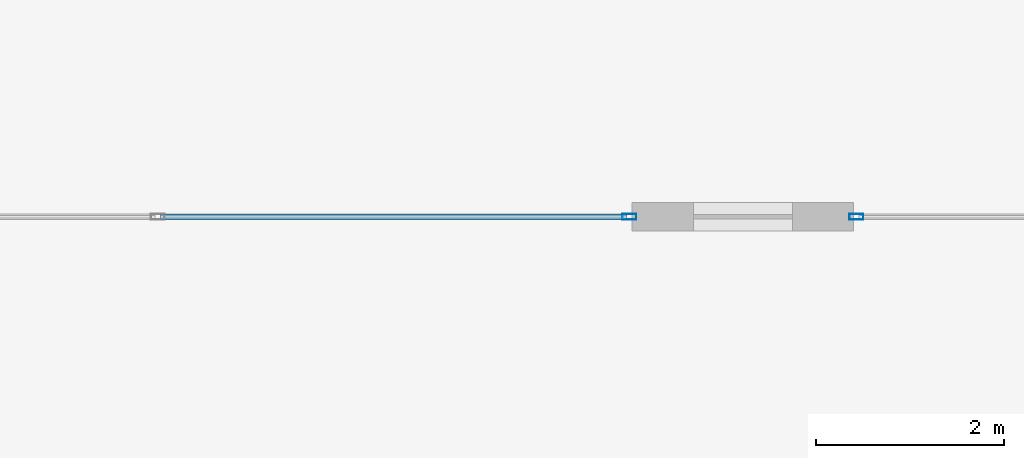
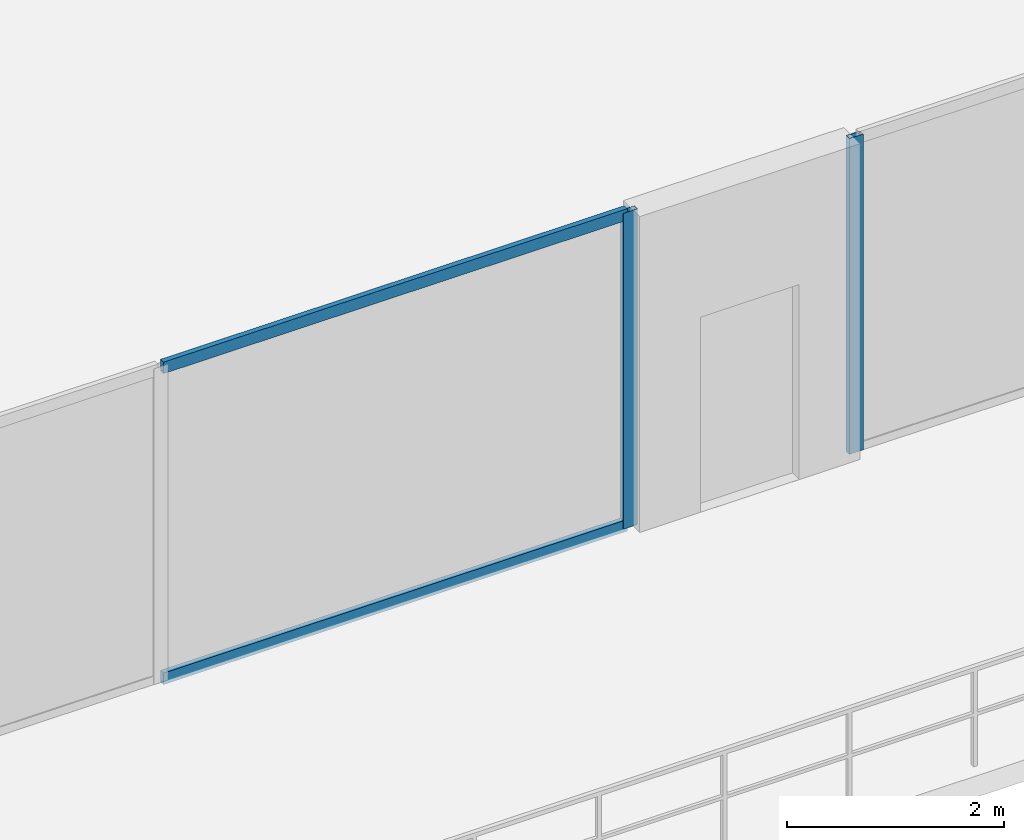
# One storey, part 3 of 19: 4 members, 2 elements without a shape of their own.
"""IFC4 building model written with IfcOpenShell, lengths in metres."""

from ifc_helpers import new_model, si_unit, direction, frame, origin, origin_2d, place, context, subcontext, project, spatial, hollow_rectangle, extrude, material, layer, layer_set, material_profile, profile_set, type_object, element, aggregate, save


model = new_model("IFC4")

# Units and contexts
model_context = context("Model", 3, precision=1e-05, world=origin(), true_north=direction((0.0, 1.0)))
body_context = subcontext(model_context, "Body", "Model", "MODEL_VIEW")
ifc_project = project(units=[si_unit("LENGTHUNIT", "METRE"), si_unit("AREAUNIT", "SQUARE_METRE"), si_unit("VOLUMEUNIT", "CUBIC_METRE"), si_unit("PLANEANGLEUNIT", "RADIAN"), si_unit("MASSUNIT", "GRAM", prefix="KILO")], contexts=[model_context])

# Site, building, storey
site_placement = place(None, origin())
site = spatial("IfcSite", under=ifc_project, at=site_placement, CompositionType="ELEMENT")
building_placement = place(site_placement, origin())
building = spatial("IfcBuilding", under=site, at=building_placement, Name="Zuhayl Quay Hotel", CompositionType="ELEMENT")
storey_placement = place(building_placement, frame((0.0, 0.0, 304.85009765625)))
storey = spatial("IfcBuildingStorey", under=building, at=storey_placement, Name="Crown 3", CompositionType="ELEMENT", Elevation=304.85009765625)

# Curtain wall, member
ifc_material_1 = material(Name="Anodised Aluminium 6063-T6", Category="aluminium")
ifc_layer = layer(ifc_material_1, 0.159912109375, Name="Anodised Aluminium 6063-T6", Category="aluminium")
ifc_layer_set = layer_set([ifc_layer], Name="Anodised Aluminium 6063-T6")
curtain_wall_type = type_object("IfcCurtainWallType", Name="CW_SYS_CRN", PredefinedType="USERDEFINED", material=ifc_layer_set)
curtain_wall_1_placement = place(storey_placement, origin())
curtain_wall_1 = element("IfcCurtainWall", 1, at=curtain_wall_1_placement, inside=storey, type_object=curtain_wall_type, Name="Crown 3 Curtain Wall ENV_CR3_E7_CW1", ObjectType="UNITISED CURTAIN WALL", PredefinedType="USERDEFINED")
ifc_material_2 = material(Name="Black-anodised aluminium 6063-T6", Category="aluminium")
ifc_material_profile_1 = material_profile(ifc_material_2, hollow_rectangle(XDim=0.06005859375, YDim=0.14990234375, WallThickness=0.00341796875, at=origin_2d()), Name="ALU150X60")
ifc_profile_set_1 = profile_set([ifc_material_profile_1], Name="Black-anodised aluminium 6063-T6")
member_type_1 = type_object("IfcMemberType", Name="MB_CW_MUL_150", PredefinedType="MULLION", material=ifc_profile_set_1)
member_1_placement = place(storey_placement, frame((-1.9951171875, 8.199951171875, 0.0), z_axis=(0.0, 0.0, 1.0), x_axis=(0.0, -1.0, 0.0)))
member_1 = element("IfcMember", 2, at=member_1_placement, type_object=member_type_1, Name="CW-CRN mullion 3", PredefinedType="MULLION", context=body_context, shape_type="SweptSolid", body=[
    extrude(hollow_rectangle(XDim=0.06005859375, YDim=0.14990234375, WallThickness=0.00341796875, at=origin_2d()), origin(), (0.0, 0.0, 1.0), 3.559814453125),
])
aggregate(curtain_wall_1, [member_1])

# Curtain wall, members
curtain_wall_2_placement = place(storey_placement, origin())
curtain_wall_2 = element("IfcCurtainWall", 3, at=curtain_wall_2_placement, inside=storey, type_object=curtain_wall_type, Name="Crown 3 Curtain Wall ENV_CR3_E7_CW2", ObjectType="UNITISED CURTAIN WALL", PredefinedType="USERDEFINED")
member_2_placement = place(storey_placement, frame((-4.405029296875, 8.199951171875, 0.0), z_axis=(0.0, 0.0, 1.0), x_axis=(0.0, -1.0, 0.0)))
member_2 = element("IfcMember", 4, at=member_2_placement, type_object=member_type_1, Name="CW-CRN mullion 1", PredefinedType="MULLION", context=body_context, shape_type="SweptSolid", body=[
    extrude(hollow_rectangle(XDim=0.06005859375, YDim=0.14990234375, WallThickness=0.00341796875, at=origin_2d()), origin(), (0.0, 0.0, 1.0), 3.559814453125),
])
ifc_material_profile_2 = material_profile(ifc_material_2, hollow_rectangle(XDim=0.054931640625, YDim=0.1298828125, WallThickness=0.0029296875, at=origin_2d()), Name="ALU130X55")
ifc_profile_set_2 = profile_set([ifc_material_profile_2], Name="Black-anodised aluminium 6063-T6")
member_type_2 = type_object("IfcMemberType", Name="MB_CW_TRN_130", PredefinedType="USERDEFINED", material=ifc_profile_set_2)
member_3_placement = place(storey_placement, frame((-4.43505859375, 8.199951171875, 0.02734375), z_axis=(-1.0, 0.0, 0.0), x_axis=(0.0, -1.0, 0.0)))
member_3 = element("IfcMember", 5, at=member_3_placement, type_object=member_type_2, Name="CW-CRN transom 1.1", ObjectType="TRANSOM", PredefinedType="USERDEFINED", context=body_context, shape_type="SweptSolid", body=[
    extrude(hollow_rectangle(XDim=0.054931640625, YDim=0.1298828125, WallThickness=0.0029296875, at=origin_2d()), origin(), (0.0, 0.0, 1.0), 4.947509765625),
])
member_4_placement = place(storey_placement, frame((-4.43505859375, 8.199951171875, 3.532470703125), z_axis=(-1.0, 0.0, 0.0), x_axis=(0.0, -1.0, 0.0)))
member_4 = element("IfcMember", 6, at=member_4_placement, type_object=member_type_2, Name="CW-CRN transom 1.2", ObjectType="TRANSOM", PredefinedType="USERDEFINED", context=body_context, shape_type="SweptSolid", body=[
    extrude(hollow_rectangle(XDim=0.054931640625, YDim=0.1298828125, WallThickness=0.0029296875, at=origin_2d()), origin(), (0.0, 0.0, 1.0), 4.947509765625),
])
aggregate(curtain_wall_2, [member_2, member_3, member_4])

save(model, "model.ifc")
